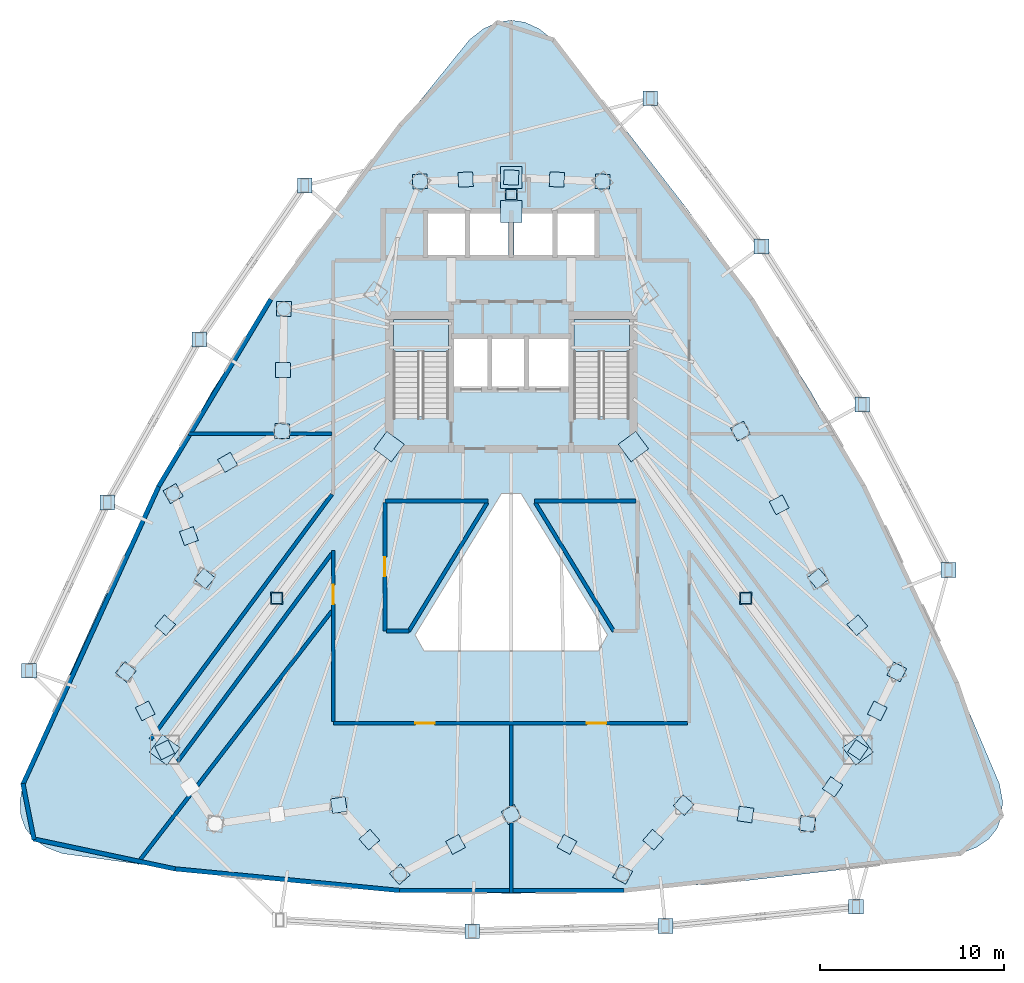
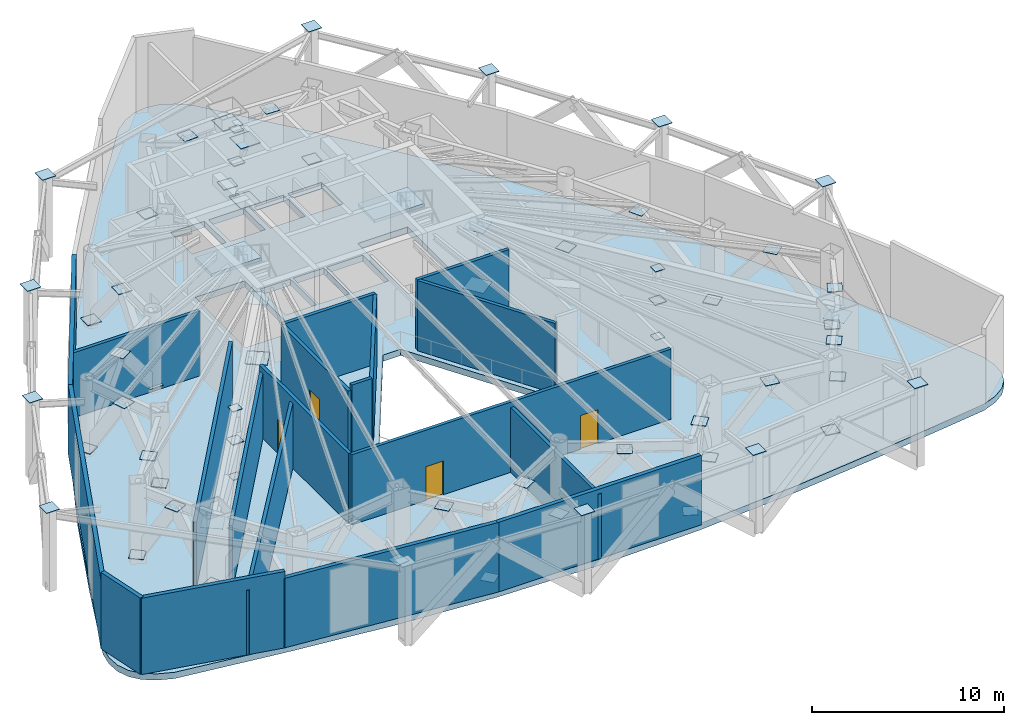
# One storey, part 5 of 10: 64 plates, 19 walls, 4 doors, 3 slabs, 4 openings, 2 elements without a shape of their own.
"""IFC4 building model written with IfcOpenShell, lengths in metres."""

from ifc_helpers import new_model, si_unit, direction, frame, frame_2d, origin, origin_2d, place, context, subcontext, project, spatial, polyline, rectangle, outline, extrude, material, layer, layer_set, type_object, element, fill, aggregate, save


model = new_model("IFC4")

# Units and contexts
model_context = context("Model", 3, precision=1e-05, world=origin(), true_north=direction((0.0, 1.0)))
body_context = subcontext(model_context, "Body", "Model", "MODEL_VIEW")
ifc_project = project(units=[si_unit("LENGTHUNIT", "METRE"), si_unit("AREAUNIT", "SQUARE_METRE"), si_unit("VOLUMEUNIT", "CUBIC_METRE"), si_unit("PLANEANGLEUNIT", "RADIAN"), si_unit("MASSUNIT", "GRAM", prefix="KILO")], contexts=[model_context])

# Site, building, storey
site_placement = place(None, origin())
site = spatial("IfcSite", under=ifc_project, at=site_placement, CompositionType="ELEMENT")
building_placement = place(site_placement, origin())
building = spatial("IfcBuilding", under=site, at=building_placement, Name="Orvanel Arch Residences", CompositionType="ELEMENT")
storey_placement = place(building_placement, frame((0.0, 0.0, 101.60009765625)))
storey = spatial("IfcBuildingStorey", under=building, at=storey_placement, Name="L28", CompositionType="ELEMENT", Elevation=101.60009765625)

# Plates
ifc_material_1 = material(Name="Structural steel AS/NZS 3678 Grade 350", Category="steel")
ifc_layer_1 = layer(ifc_material_1, 0.028076171875)
ifc_layer_set_1 = layer_set([ifc_layer_1], Name="Structural steel AS/NZS 3678 Grade 350")
plate_type_1 = type_object("IfcPlateType", Name="PL-CAP-28", PredefinedType="SHEET", material=ifc_layer_set_1)
for number, where, z_axis, x_axis, name in (
    (1, (16.366943359375, 19.64208984375, 0.28564453125), (0.0, 0.0, 1.0), (0.645457687724, 0.763796028635, 0.0), "L28 hollow member end cap plate"),
    (2, (14.23095703125, 17.111083984375, 4.2958984375), (0.0, 0.0, 1.0), (0.645457687724, 0.763796028635, 0.0), "L28 hollow member end cap plate"),
    (3, (12.094970703125, 14.580078125, 0.28564453125), (0.0, 0.0, 1.0), (0.645457687724, 0.763796028635, 0.0), "L28 hollow member end cap plate"),
    (4, (13.14697265625, 12.466064453125, 4.2958984375), (0.0, 0.0, 1.0), (-0.44619781311, 0.894934361602, 0.0), "L28 hollow member end cap plate"),
    (5, (14.198974609375, 10.35107421875, 0.28564453125), (0.0, 0.0, 1.0), (-0.444635179185, 0.895711760239, 0.0), "L28 hollow member end cap plate"),
    (6, (23.64892578125, 7.35498046875, 0.28564453125), (0.0, 0.0, 1.0), (0.988756381047, 0.149535343444, 0.0), "L28 hollow member end cap plate"),
    (7, (25.302978515625, 5.47998046875, 4.2958984375), (0.0, 0.0, 1.0), (-0.661311865324, 0.75011106963, 0.0), "L28 hollow member end cap plate"),
    (8, (26.9580078125, 3.60498046875, 0.28564453125), (0.0, 0.0, 1.0), (-0.661311865324, 0.75011106963, 0.0), "L28 hollow member end cap plate"),
    (9, (29.97900390625, 5.22412109375, 4.2958984375), (0.0, 0.0, 1.0), (0.881303452065, 0.472550764869, 0.0), "L28 hollow member end cap plate"),
    (10, (33.0, 6.843994140625, 0.28564453125), (0.0, 0.0, 1.0), (0.881303452065, 0.472550764869, 0.0), "L28 hollow member end cap plate"),
    (11, (36.02099609375, 5.22412109375, 4.2958984375), (0.0, 0.0, 1.0), (-0.881303452065, 0.472550764869, 0.0), "L28 hollow member end cap plate"),
    (12, (39.0419921875, 3.60498046875, 0.28564453125), (0.0, 0.0, 1.0), (-0.881303452065, 0.472550764869, 0.0), "L28 hollow member end cap plate"),
    (13, (40.697021484375, 5.47998046875, 4.2958984375), (0.0, 0.0, 1.0), (0.661311865324, 0.75011106963, 0.0), "L28 hollow member end cap plate"),
    (14, (42.35107421875, 7.35498046875, 0.28564453125), (0.0, 0.0, 1.0), (0.661311865324, 0.75011106963, 0.0), "L28 hollow member end cap plate"),
    (15, (45.705078125, 6.846923828125, 4.2958984375), (0.0, 0.0, 1.0), (-0.988756381047, 0.149535343444, 0.0), "L28 hollow member end cap plate"),
    (16, (49.05908203125, 6.339111328125, 0.28564453125), (0.0, 0.0, 1.0), (-0.988756381047, 0.149535343444, 0.0), "L28 hollow member end cap plate"),
    (17, (50.429931640625, 8.344970703125, 4.2958984375), (0.0, 0.0, 1.0), (0.564967003425, 0.825113498278, 0.0), "L28 hollow member end cap plate"),
    (18, (51.801025390625, 10.35107421875, 0.28564453125), (0.0, 0.0, 1.0), (0.564967003425, 0.825113498278, 0.0), "L28 hollow member end cap plate"),
    (19, (52.85302734375, 12.466064453125, 4.2958984375), (0.0, 0.0, 1.0), (0.444635179185, 0.895711760239, 0.0), "L28 hollow member end cap plate"),
    (20, (53.905029296875, 14.580078125, 0.28564453125), (0.0, 0.0, 1.0), (0.44619781311, 0.894934361602, 0.0), "L28 hollow member end cap plate"),
    (21, (51.76904296875, 17.111083984375, 4.2958984375), (0.0, 0.0, 1.0), (-0.645457687724, 0.763796028635, 0.0), "L28 hollow member end cap plate"),
    (22, (49.633056640625, 19.64208984375, 0.28564453125), (0.0, 0.0, 1.0), (-0.645457687724, 0.763796028635, 0.0), "L28 hollow member end cap plate"),
    (23, (47.531982421875, 23.64208984375, 4.2958984375), (0.0, 0.0, 1.0), (-0.464842045725, 0.885393625754, 0.0), "L28 hollow member end cap plate"),
    (24, (45.430908203125, 27.64111328125, 0.28564453125), (0.0, 0.0, 1.0), (-0.464842045725, 0.885393625754, 0.0), "L28 hollow member end cap plate"),
    (25, (37.949951171875, 41.177978515625, 0.28564453125), (0.0, 0.0, 1.0), (-0.999048221582, 0.043619387365, 0.0), "L28 hollow member end cap plate"),
    (26, (35.47509765625, 41.2880859375, 4.2958984375), (0.0, 0.0, 1.0), (-0.999048221582, 0.043619387365, 0.0), "L28 hollow member end cap plate"),
    (27, (33.0, 41.39794921875, 0.28564453125), (0.0, 0.0, 1.0), (-0.999048221582, 0.043619387365, 0.0), "L28 hollow member end cap plate"),
    (28, (30.52490234375, 41.2880859375, 4.2958984375), (0.0, 0.0, 1.0), (0.999048221582, 0.043619387365, 0.0), "L28 hollow member end cap plate"),
    (29, (28.050048828125, 41.177978515625, 0.28564453125), (0.0, 0.0, 1.0), (0.999048221582, 0.043619387365, 0.0), "L28 hollow member end cap plate"),
    (30, (20.669921875, 34.27099609375, 0.28564453125), (0.0, 0.0, 1.0), (0.015707317312, 0.999876632482, 0.0), "L28 hollow member end cap plate"),
    (31, (20.6201171875, 30.9560546875, 4.2958984375), (0.0, 0.0, 1.0), (0.015707317312, 0.999876632482, 0.0), "L28 hollow member end cap plate"),
    (32, (20.569091796875, 27.64111328125, 0.28564453125), (0.0, 0.0, 1.0), (0.015707317312, 0.999876632482, 0.0), "L28 hollow member end cap plate"),
    (33, (17.615966796875, 25.947998046875, 4.2958984375), (0.0, 0.0, 1.0), (0.867765453369, 0.496973961028, 0.0), "L28 hollow member end cap plate"),
    (34, (14.662109375, 24.256103515625, 0.28564453125), (0.0, 0.0, 1.0), (0.867765453369, 0.496973961028, 0.0), "L28 hollow member end cap plate"),
    (35, (15.514892578125, 21.948974609375, 4.2958984375), (0.0, 0.0, 1.0), (-0.346935651573, 0.937888934612, 0.0), "L28 hollow member end cap plate"),
):
    element("IfcPlate", number, at=place(storey_placement, frame(where, z_axis=z_axis, x_axis=x_axis)), inside=storey, type_object=plate_type_1, Name=name, PredefinedType="SHEET", context=body_context, shape_type="SweptSolid", body=[
        extrude(rectangle(XDim=0.800048828125, YDim=0.800048828125, at=origin_2d()), origin(), (0.0, 0.0, 1.0), 0.028076171875),
    ])
for number, where, z_axis, x_axis, name in (
    (36, (33.0, 39.550048828125, 0.3857421875), (0.0, 0.0, 1.0), (0.0, 1.0, 0.0), "L28 hollow member end cap plate"),
    (37, (33.0, 41.39794921875, 4.19580078125), (0.0, 0.0, 1.0), (0.0, 1.0, 0.0), "L28 hollow member end cap plate"),
    (38, (33.0, 39.550048828125, 4.19580078125), (0.0, 0.0, 1.0), (0.0, 1.0, 0.0), "L28 hollow member end cap plate"),
    (39, (26.375, 26.800048828125, 0.3857421875), (0.0, 0.0, 1.0), (0.594822786751, 0.803856860617, 0.0), "L28 hollow member end cap plate"),
    (40, (14.198974609375, 10.35107421875, 4.19580078125), (0.0, 0.0, 1.0), (0.594822786751, 0.803856860617, 0.0), "L28 hollow member end cap plate"),
    (41, (26.375, 26.800048828125, 4.19580078125), (0.0, 0.0, 1.0), (0.594822786751, 0.803856860617, 0.0), "L28 hollow member end cap plate"),
    (42, (39.625, 26.800048828125, 0.3857421875), (0.0, 0.0, 1.0), (-0.594822786751, 0.803856860617, 0.0), "L28 hollow member end cap plate"),
    (43, (51.801025390625, 10.35107421875, 4.19580078125), (0.0, 0.0, 1.0), (-0.594822786751, 0.803856860617, 0.0), "L28 hollow member end cap plate"),
    (44, (39.625, 26.800048828125, 4.19580078125), (0.0, 0.0, 1.0), (-0.594822786751, 0.803856860617, 0.0), "L28 hollow member end cap plate"),
):
    element("IfcPlate", number, at=place(storey_placement, frame(where, z_axis=z_axis, x_axis=x_axis)), inside=storey, type_object=plate_type_1, Name=name, PredefinedType="SHEET", context=body_context, shape_type="SweptSolid", body=[
        extrude(rectangle(XDim=1.179931640625, YDim=1.179931640625, at=origin_2d()), origin(), (0.0, 0.0, 1.0), 0.028076171875),
    ])
for number, where, z_axis, x_axis, name in (
    (45, (33.0, 40.47412109375, -0.01416015625), (0.0, 0.0, 1.0), (1.0, 0.0, 0.0), "L28 hollow member end cap plate"),
    (46, (33.0, 40.47412109375, 4.345703125), (0.0, 0.0, 1.0), (1.0, 0.0, 0.0), "L28 hollow member end cap plate"),
    (47, (20.287109375, 18.575927734375, -0.01416015625), (0.0, 0.0, 1.0), (1.0, 0.0, 0.0), "L28 hollow member end cap plate"),
    (48, (20.287109375, 18.575927734375, 4.345703125), (0.0, 0.0, 1.0), (1.0, 0.0, 0.0), "L28 hollow member end cap plate"),
    (49, (45.712890625, 18.575927734375, -0.01416015625), (0.0, 0.0, 1.0), (1.0, 0.0, 0.0), "L28 hollow member end cap plate"),
    (50, (45.712890625, 18.575927734375, 4.345703125), (0.0, 0.0, 1.0), (1.0, 0.0, 0.0), "L28 hollow member end cap plate"),
):
    element("IfcPlate", number, at=place(storey_placement, frame(where, z_axis=z_axis, x_axis=x_axis)), inside=storey, type_object=plate_type_1, Name=name, PredefinedType="SHEET", context=body_context, shape_type="SweptSolid", body=[
        extrude(rectangle(XDim=0.56005859375, YDim=0.56005859375, at=origin_2d()), origin(), (0.0, 0.0, 1.0), 0.028076171875),
    ])
ifc_layer_2 = layer(ifc_material_1, 0.031982421875)
ifc_layer_set_2 = layer_set([ifc_layer_2], Name="Structural steel AS/NZS 3678 Grade 350")
plate_type_2 = type_object("IfcPlateType", Name="PL-CAP-32", PredefinedType="SHEET", material=ifc_layer_set_2)
for number, where, z_axis, x_axis, name in (
    (51, (21.79296875, 40.9619140625, 5.083984375), (0.0, 0.0, 1.0), (1.0, 0.0, 0.0), "L28 hollow member end cap plate"),
    (52, (16.074951171875, 32.612060546875, 5.083984375), (0.0, 0.0, 1.0), (1.0, 0.0, 0.0), "L28 hollow member end cap plate"),
    (53, (11.092041015625, 23.763916015625, 5.083984375), (0.0, 0.0, 1.0), (1.0, 0.0, 0.0), "L28 hollow member end cap plate"),
    (54, (6.841064453125, 14.64794921875, 5.083984375), (0.0, 0.0, 1.0), (1.0, 0.0, 0.0), "L28 hollow member end cap plate"),
    (55, (30.881103515625, 0.51806640625, 5.083984375), (0.0, 0.0, 1.0), (1.0, 0.0, 0.0), "L28 hollow member end cap plate"),
    (56, (41.360107421875, 0.7958984375, 5.083984375), (0.0, 0.0, 1.0), (1.0, 0.0, 0.0), "L28 hollow member end cap plate"),
    (57, (51.698974609375, 1.839111328125, 5.083984375), (0.0, 0.0, 1.0), (1.0, 0.0, 0.0), "L28 hollow member end cap plate"),
    (58, (56.7119140625, 20.114990234375, 5.083984375), (0.0, 0.0, 1.0), (1.0, 0.0, 0.0), "L28 hollow member end cap plate"),
    (59, (52.037109375, 29.091064453125, 5.083984375), (0.0, 0.0, 1.0), (1.0, 0.0, 0.0), "L28 hollow member end cap plate"),
    (60, (46.576904296875, 37.653076171875, 5.083984375), (0.0, 0.0, 1.0), (1.0, 0.0, 0.0), "L28 hollow member end cap plate"),
    (61, (40.535888671875, 45.695068359375, 5.083984375), (0.0, 0.0, 1.0), (1.0, 0.0, 0.0), "L28 hollow member end cap plate"),
):
    element("IfcPlate", number, at=place(storey_placement, frame(where, z_axis=z_axis, x_axis=x_axis)), inside=storey, type_object=plate_type_2, Name=name, PredefinedType="SHEET", context=body_context, shape_type="SweptSolid", body=[
        extrude(rectangle(XDim=0.800048828125, YDim=0.800048828125, at=origin_2d()), origin(), (0.0, 0.0, 1.0), 0.031982421875),
    ])
ifc_layer_3 = layer(ifc_material_1, 0.035888671875)
ifc_layer_set_3 = layer_set([ifc_layer_3], Name="Structural steel AS/NZS 3678 Grade 350")
plate_type_3 = type_object("IfcPlateType", Name="PL-GUS-36", PredefinedType="USERDEFINED", material=ifc_layer_set_3)
for number, where, z_axis, x_axis, name in (
    (62, (33.0, 40.47412109375, 2.287109375), (0.0, 0.0, 1.0), (1.0, 0.0, 0.0), "L28 Outrigger Gusset Plate 1-1"),
    (63, (20.287109375, 18.575927734375, 2.287109375), (0.0, 0.0, 1.0), (1.0, 0.0, 0.0), "L28 Outrigger Gusset Plate 2-1"),
    (64, (45.712890625, 18.575927734375, 2.287109375), (0.0, 0.0, 1.0), (1.0, 0.0, 0.0), "L28 Outrigger Gusset Plate 3-1"),
):
    element("IfcPlate", number, at=place(storey_placement, frame(where, z_axis=z_axis, x_axis=x_axis)), inside=storey, type_object=plate_type_3, Name=name, ObjectType="GUSSET_PLATE", PredefinedType="USERDEFINED", context=body_context, shape_type="SweptSolid", body=[
        extrude(rectangle(XDim=0.679931640625, YDim=0.679931640625, at=origin_2d()), origin(), (0.0, 0.0, 1.0), 0.035888671875),
    ])

# Stair, slab
ifc_material_2 = material(Name="Precast concrete N50 (50 MPa)", Category="concrete")
stair_type = type_object("IfcStairType", Name="STR-DOG-181", PredefinedType="USERDEFINED", material=ifc_material_2)
stair_1_placement = place(storey_placement, origin())
stair_1 = element("IfcStair", 65, at=stair_1_placement, inside=storey, type_object=stair_type, Name="L28 Fire-Isolated Core Exit Stair 1", ObjectType="TWO_RETURN_STAIR", PredefinedType="USERDEFINED")
ifc_material_3 = material(Name="Concrete N40 (40 MPa)", Category="concrete")
ifc_layer_4 = layer(ifc_material_3, 0.199951171875)
ifc_layer_set_4 = layer_set([ifc_layer_4], Name="Concrete N40 (40 MPa)")
slab_type_1 = type_object("IfcSlabType", Name="SLB-LND-200", PredefinedType="LANDING", material=ifc_layer_set_4)
slab_1_placement = place(storey_placement, frame((0.0, 0.0, 2.349853515625)))
slab_1 = element("IfcSlab", 66, at=slab_1_placement, type_object=slab_type_1, Name="ST-1 landing 1", PredefinedType="LANDING", context=body_context, shape_type="SweptSolid", body=[
    extrude(outline(polyline([(29.60009765625, 31.9599609375), (29.60009765625, 33.699951171875), (26.60009765625, 33.699951171875), (26.60009765625, 31.9599609375), (29.60009765625, 31.9599609375)])), origin(), (0.0, 0.0, 1.0), 0.199951171875),
])
aggregate(stair_1, [slab_1])

stair_2_placement = place(storey_placement, origin())
stair_2 = element("IfcStair", 67, at=stair_2_placement, inside=storey, type_object=stair_type, Name="L28 Fire-Isolated Core Exit Stair 2", ObjectType="TWO_RETURN_STAIR", PredefinedType="USERDEFINED")
slab_2_placement = place(storey_placement, frame((0.0, 0.0, 2.349853515625)))
slab_2 = element("IfcSlab", 68, at=slab_2_placement, type_object=slab_type_1, Name="ST-2 landing 1", PredefinedType="LANDING", context=body_context, shape_type="SweptSolid", body=[
    extrude(outline(polyline([(39.39990234375, 31.9599609375), (39.39990234375, 33.699951171875), (36.39990234375, 33.699951171875), (36.39990234375, 31.9599609375), (39.39990234375, 31.9599609375)])), origin(), (0.0, 0.0, 1.0), 0.199951171875),
])
aggregate(stair_2, [slab_2])

# Slab
ifc_material_4 = material(Name="Concrete N50 (50 MPa)", Category="concrete")
ifc_layer_5 = layer(ifc_material_4, 0.39990234375)
ifc_layer_set_5 = layer_set([ifc_layer_5], Name="Concrete N50 (50 MPa)")
slab_type_2 = type_object("IfcSlabType", Name="SLB-TRF-400", PredefinedType="FLOOR", material=ifc_layer_set_5)
slab_3_placement = place(storey_placement, frame((0.0, 0.0, -0.400146484375)))
element("IfcSlab", 69, at=slab_3_placement, inside=storey, type_object=slab_type_2, Name="L28 Tower Floor Slab", PredefinedType="FLOOR", context=body_context, shape_type="SweptSolid", body=[
    extrude(outline(polyline([(35.258056640625, 48.87890625), (34.506103515625, 49.464111328125), (33.7529296875, 49.81591796875), (33.0, 49.93310546875), (32.2470703125, 49.81591796875), (31.493896484375, 49.464111328125), (30.740966796875, 48.87890625), (27.001953125, 44.257080078125), (23.3720703125, 39.570068359375), (19.94091796875, 34.763916015625), (16.77099609375, 29.800048828125), (13.884033203125, 24.6669921875), (11.259033203125, 19.3779296875), (8.833984375, 13.968017578125), (6.51611328125, 8.492919921875), (6.35498046875, 7.572998046875), (6.39990234375, 6.77001953125), (6.652099609375, 6.0830078125), (7.110107421875, 5.514892578125), (7.77587890625, 5.06298828125), (8.64892578125, 4.72802734375), (14.736083984375, 3.89892578125), (20.823974609375, 3.196044921875), (26.912109375, 2.72705078125), (33.0, 2.56201171875), (39.087890625, 2.72705078125), (45.176025390625, 3.196044921875), (51.263916015625, 3.89892578125), (57.35205078125, 4.72802734375), (58.22412109375, 5.06298828125), (58.889892578125, 5.514892578125), (59.347900390625, 6.0830078125), (59.60009765625, 6.77001953125), (59.64501953125, 7.572998046875), (59.48291015625, 8.492919921875), (57.166015625, 13.968017578125), (54.740966796875, 19.3779296875), (52.115966796875, 24.6669921875), (49.22900390625, 29.800048828125), (46.05908203125, 34.763916015625), (42.62890625, 39.570068359375), (38.998046875, 44.257080078125), (35.258056640625, 48.87890625)]), holes=[polyline([(26.60009765625, 28.429931640625), (26.60009765625, 33.699951171875), (29.60009765625, 33.699951171875), (29.60009765625, 28.429931640625), (26.60009765625, 28.429931640625)]), polyline([(36.39990234375, 28.429931640625), (36.39990234375, 33.699951171875), (39.39990234375, 33.699951171875), (39.39990234375, 28.429931640625), (36.39990234375, 28.429931640625)]), polyline([(29.89990234375, 32.64990234375), (31.75, 32.64990234375), (31.75, 29.949951171875), (29.89990234375, 29.949951171875), (29.89990234375, 32.64990234375)]), polyline([(31.89990234375, 32.64990234375), (33.75, 32.64990234375), (33.75, 29.949951171875), (31.89990234375, 29.949951171875), (31.89990234375, 32.64990234375)]), polyline([(33.89990234375, 32.64990234375), (36.10009765625, 32.64990234375), (36.10009765625, 29.949951171875), (33.89990234375, 29.949951171875), (33.89990234375, 32.64990234375)]), polyline([(28.449951171875, 39.449951171875), (30.5, 39.449951171875), (30.5, 37.199951171875), (28.449951171875, 37.199951171875), (28.449951171875, 39.449951171875)]), polyline([(35.5, 39.449951171875), (37.550048828125, 39.449951171875), (37.550048828125, 37.199951171875), (35.5, 37.199951171875), (35.5, 39.449951171875)]), polyline([(30.75, 39.449951171875), (32.85009765625, 39.449951171875), (32.85009765625, 37.199951171875), (30.75, 37.199951171875), (30.75, 39.449951171875)]), polyline([(33.14990234375, 39.449951171875), (35.25, 39.449951171875), (35.25, 37.199951171875), (33.14990234375, 37.199951171875), (33.14990234375, 39.449951171875)]), polyline([(38.218994140625, 16.5869140625), (37.73388671875, 15.721923828125), (28.26611328125, 15.721923828125), (27.780029296875, 16.5869140625), (32.470947265625, 24.260009765625), (33.529052734375, 24.260009765625), (38.218994140625, 16.5869140625)])]), origin(), (0.0, 0.0, 1.0), 0.400146484375),
])

# Walls
ifc_layer_6 = layer(ifc_material_2, 0.239990234375)
ifc_layer_set_6 = layer_set([ifc_layer_6], Name="Precast concrete N50 (50 MPa)")
wall_type_1 = type_object("IfcWallType", Name="EW-BAL-240", PredefinedType="SOLIDWALL", material=ifc_layer_set_6)
wall_1_placement = place(storey_placement, frame((19.958984375, 34.7939453125, 0.0), z_axis=(0.0, 0.0, 1.0), x_axis=(-0.514423004023, -0.857536572359, 0.0)))
element("IfcWall", 70, at=wall_1_placement, inside=storey, type_object=wall_type_1, Name="L28 Plant Acoustic Louvre Wall Face 1B", PredefinedType="SOLIDWALL", context=body_context, shape_type="SweptSolid", body=[
    extrude(rectangle(XDim=11.844482421875, YDim=0.239990234375, at=frame_2d((5.92236328125, 0.0))), origin(), (0.0, 0.0, 1.0), 4.423828125),
])
wall_2_placement = place(storey_placement, frame((13.89892578125, 24.698974609375, 0.0), z_axis=(0.0, 0.0, 1.0), x_axis=(-0.41454811934, -0.910027393407, 0.0)))
element("IfcWall", 71, at=wall_2_placement, inside=storey, type_object=wall_type_1, Name="L28 Plant Acoustic Louvre Wall Face 1C", PredefinedType="SOLIDWALL", context=body_context, shape_type="SweptSolid", body=[
    extrude(rectangle(XDim=17.843505859375, YDim=0.239990234375, at=frame_2d((8.921875, 0.0))), origin(), (0.0, 0.0, 1.0), 4.423828125),
])
wall_3_placement = place(storey_placement, frame((14.701904296875, 3.902099609375, 0.0), z_axis=(0.0, 0.0, 1.0), x_axis=(0.995395201443, -0.095856105411, 0.0)))
element("IfcWall", 72, at=wall_3_placement, inside=storey, type_object=wall_type_1, Name="L28 Plant Acoustic Louvre Wall Face 2A", PredefinedType="SOLIDWALL", context=body_context, shape_type="SweptSolid", body=[
    extrude(rectangle(XDim=12.3017578125, YDim=0.239990234375, at=frame_2d((6.15087890625, 0.0))), origin(), (0.0, 0.0, 1.0), 4.423828125),
])
wall_4_placement = place(storey_placement, frame((26.876953125, 2.72705078125, 0.0), z_axis=(0.0, 0.0, 1.0), x_axis=(1.0, 0.0, 0.0)))
element("IfcWall", 73, at=wall_4_placement, inside=storey, type_object=wall_type_1, Name="L28 Plant Acoustic Louvre Wall Face 2B", PredefinedType="SOLIDWALL", context=body_context, shape_type="SweptSolid", body=[
    extrude(rectangle(XDim=12.24609375, YDim=0.239990234375, at=frame_2d((6.123046875, 0.0))), origin(), (0.0, 0.0, 1.0), 4.423828125),
])
wall_5_placement = place(storey_placement, frame((6.510009765625, 8.528076171875, 0.0), z_axis=(0.0, 0.0, 1.0), x_axis=(0.195285205288, -0.980746495582, 0.0)))
element("IfcWall", 74, at=wall_5_placement, inside=storey, type_object=wall_type_1, Name="L28 Plant Corner Enclosure Wall", PredefinedType="SOLIDWALL", context=body_context, shape_type="SweptSolid", body=[
    extrude(rectangle(XDim=3.10791015625, YDim=0.239990234375, at=frame_2d((1.553955078125, 0.0))), origin(), (0.0, 0.0, 1.0), 4.85986328125),
])
wall_6_placement = place(storey_placement, frame((7.075927734375, 5.52197265625, 0.0), z_axis=(0.0, 0.0, 1.0), x_axis=(0.97829613069, -0.207211680843, 0.0)))
element("IfcWall", 75, at=wall_6_placement, inside=storey, type_object=wall_type_1, Name="L28 Plant Corner Enclosure Wall", PredefinedType="SOLIDWALL", context=body_context, shape_type="SweptSolid", body=[
    extrude(rectangle(XDim=7.86572265625, YDim=0.239990234375, at=frame_2d((3.932861328125, 0.0))), origin(), (0.0, 0.0, 1.0), 4.85986328125),
])

# Wall, openings, doors
ifc_material_5 = material(Name="Fire-rated plasterboard lined steel stud partition", Category="steel")
ifc_layer_7 = layer(ifc_material_5, 0.199951171875)
ifc_layer_set_7 = layer_set([ifc_layer_7], Name="Fire-rated plasterboard lined steel stud partition")
wall_type_2 = type_object("IfcWallType", Name="W-PLT-200", PredefinedType="PARTITIONING", material=ifc_layer_set_7)
wall_7_placement = place(storey_placement, frame((42.56494140625, 11.800048828125, 0.0), z_axis=(0.0, 0.0, 1.0), x_axis=(-1.0, 0.0, 0.0)))
wall_7 = element("IfcWall", 76, at=wall_7_placement, inside=storey, type_object=wall_type_2, Name="L28 Fire-Rated Refuge and Plant Corridor Wall", PredefinedType="PARTITIONING", context=body_context, shape_type="SweptSolid", body=[
    extrude(rectangle(XDim=19.21484375, YDim=0.199951171875, at=frame_2d((9.607421875, 0.0))), origin(), (0.0, 0.0, 1.0), 4.468994140625),
])
opening_1_placement = place(wall_7_placement, frame((13.715087890625, 0.0, 0.0)))
opening_1 = element("IfcOpeningElement", 77, at=opening_1_placement, cuts=wall_7, Name="Opening DF-120", PredefinedType="OPENING", context=body_context, shape_type="SweptSolid", body=[
    extrude(rectangle(XDim=1.050048828125, YDim=2.14990234375, at=frame_2d((0.52490234375, 1.074951171875))), frame((0.0, 0.10986328125, 0.0), z_axis=(0.0, -1.0, 0.0), x_axis=(1.0, 0.0, 0.0)), (0.0, 0.0, 1.0), 0.219970703125),
])
opening_2_placement = place(wall_7_placement, frame((4.406982421875, 0.0, 0.0)))
opening_2 = element("IfcOpeningElement", 78, at=opening_2_placement, cuts=wall_7, Name="Opening DF-120", PredefinedType="OPENING", context=body_context, shape_type="SweptSolid", body=[
    extrude(rectangle(XDim=1.050048828125, YDim=2.14990234375, at=frame_2d((0.52490234375, 1.074951171875))), frame((0.0, 0.10986328125, 0.0), z_axis=(0.0, -1.0, 0.0), x_axis=(1.0, 0.0, 0.0)), (0.0, 0.0, 1.0), 0.219970703125),
])
ifc_material_6 = material(Name="Galvanised steel fire-resisting door assembly", Category="steel")
door_type = type_object("IfcDoorType", Name="DR-FD120-1050", OperationType="NOTDEFINED", PredefinedType="DOOR", material=ifc_material_6)
door_1_placement = place(opening_1_placement, origin())
door_1 = element("IfcDoor", 79, at=door_1_placement, inside=storey, type_object=door_type, Name="DR-L28-PR-5 L28 L28 Heat-Recovery and Chilled-Water Plant Room Fire Door", OperationType="SINGLE_SWING_LEFT", OverallHeight=2.14990234375, OverallWidth=1.050048828125, PredefinedType="DOOR", context=body_context, shape_type="SweptSolid", body=[
    extrude(rectangle(XDim=1.050048828125, YDim=2.14990234375, at=frame_2d((0.52490234375, 1.074951171875))), frame((0.0, 0.02490234375, 0.0), z_axis=(0.0, -1.0, 0.0), x_axis=(1.0, 0.0, 0.0)), (0.0, 0.0, 1.0), 0.050048828125),
])
fill(opening_1, door_1)
door_2_placement = place(opening_2_placement, origin())
door_2 = element("IfcDoor", 80, at=door_2_placement, inside=storey, type_object=door_type, Name="DR-L28-PR-6 L28 L28 Mechanical Air-Handling Plant Room Fire Door", OperationType="SINGLE_SWING_LEFT", OverallHeight=2.14990234375, OverallWidth=1.050048828125, PredefinedType="DOOR", context=body_context, shape_type="SweptSolid", body=[
    extrude(rectangle(XDim=1.050048828125, YDim=2.14990234375, at=frame_2d((0.52490234375, 1.074951171875))), frame((0.0, 0.02490234375, 0.0), z_axis=(0.0, -1.0, 0.0), x_axis=(1.0, 0.0, 0.0)), (0.0, 0.0, 1.0), 0.050048828125),
])
fill(opening_2, door_2)

# Wall, opening, door
wall_8_placement = place(storey_placement, frame((23.35009765625, 11.885009765625, 0.0), z_axis=(0.0, 0.0, 1.0), x_axis=(0.0, 1.0, 0.0)))
wall_8 = element("IfcWall", 81, at=wall_8_placement, inside=storey, type_object=wall_type_2, Name="L28 Fire-Rated Refuge and Plant Corridor Wall", PredefinedType="PARTITIONING", context=body_context, shape_type="SweptSolid", body=[
    extrude(rectangle(XDim=9.2919921875, YDim=0.199951171875, at=frame_2d((4.64599609375, 0.0))), origin(), (0.0, 0.0, 1.0), 4.468994140625),
])
opening_3_placement = place(wall_8_placement, frame((6.366943359375, 0.0, 0.0)))
opening_3 = element("IfcOpeningElement", 82, at=opening_3_placement, cuts=wall_8, Name="Opening DF-120", PredefinedType="OPENING", context=body_context, shape_type="SweptSolid", body=[
    extrude(rectangle(XDim=1.050048828125, YDim=2.14990234375, at=frame_2d((0.52490234375, 1.074951171875))), frame((0.0, 0.10986328125, 0.0), z_axis=(0.0, -1.0, 0.0), x_axis=(1.0, 0.0, 0.0)), (0.0, 0.0, 1.0), 0.219970703125),
])
door_3_placement = place(opening_3_placement, origin())
door_3 = element("IfcDoor", 83, at=door_3_placement, inside=storey, type_object=door_type, Name="DR-L28-PR-8 L28 L28 Pressurised Fire Refuge Area 2 Fire Door", OperationType="SINGLE_SWING_LEFT", OverallHeight=2.14990234375, OverallWidth=1.050048828125, PredefinedType="DOOR", context=body_context, shape_type="SweptSolid", body=[
    extrude(rectangle(XDim=1.050048828125, YDim=2.14990234375, at=frame_2d((0.52490234375, 1.074951171875))), frame((0.0, 0.02490234375, 0.0), z_axis=(0.0, -1.0, 0.0), x_axis=(1.0, 0.0, 0.0)), (0.0, 0.0, 1.0), 0.050048828125),
])
fill(opening_3, door_3)

# Wall
wall_9_placement = place(storey_placement, frame((31.751953125, 23.85009765625, 0.0), z_axis=(0.0, 0.0, 1.0), x_axis=(-1.0, 0.0, 0.0)))
element("IfcWall", 84, at=wall_9_placement, inside=storey, type_object=wall_type_2, Name="L28 Fire-Rated Refuge and Plant Corridor Wall", PredefinedType="PARTITIONING", context=body_context, shape_type="SweptSolid", body=[
    extrude(rectangle(XDim=5.60205078125, YDim=0.199951171875, at=frame_2d((2.801025390625, 0.0))), origin(), (0.0, 0.0, 1.0), 4.468994140625),
])

# Wall, opening, door
wall_10_placement = place(storey_placement, frame((26.14990234375, 23.764892578125, 0.0), z_axis=(0.0, 0.0, 1.0), x_axis=(0.0, -1.0, 0.0)))
wall_10 = element("IfcWall", 85, at=wall_10_placement, inside=storey, type_object=wall_type_2, Name="L28 Fire-Rated Refuge and Plant Corridor Wall", PredefinedType="PARTITIONING", context=body_context, shape_type="SweptSolid", body=[
    extrude(rectangle(XDim=6.96484375, YDim=0.199951171875, at=frame_2d((3.482421875, 0.0))), origin(), (0.0, 0.0, 1.0), 4.468994140625),
])
opening_4_placement = place(wall_10_placement, frame((2.9580078125, 0.0, 0.0)))
opening_4 = element("IfcOpeningElement", 86, at=opening_4_placement, cuts=wall_10, Name="Opening DF-120", PredefinedType="OPENING", context=body_context, shape_type="SweptSolid", body=[
    extrude(rectangle(XDim=1.050048828125, YDim=2.14990234375, at=frame_2d((0.52490234375, 1.074951171875))), frame((0.0, 0.10986328125, 0.0), z_axis=(0.0, -1.0, 0.0), x_axis=(1.0, 0.0, 0.0)), (0.0, 0.0, 1.0), 0.219970703125),
])
door_4_placement = place(opening_4_placement, origin())
door_4 = element("IfcDoor", 87, at=door_4_placement, inside=storey, type_object=door_type, Name="DR-L28-PR-2 L28 L28 Mechanical Air-Handling Plant Room Fire Door", OperationType="SINGLE_SWING_LEFT", OverallHeight=2.14990234375, OverallWidth=1.050048828125, PredefinedType="DOOR", context=body_context, shape_type="SweptSolid", body=[
    extrude(rectangle(XDim=1.050048828125, YDim=2.14990234375, at=frame_2d((0.52490234375, 1.074951171875))), frame((0.0, 0.02490234375, 0.0), z_axis=(0.0, -1.0, 0.0), x_axis=(1.0, 0.0, 0.0)), (0.0, 0.0, 1.0), 0.050048828125),
])
fill(opening_4, door_4)

# Walls
wall_11_placement = place(storey_placement, frame((26.235107421875, 16.800048828125, 0.0), z_axis=(0.0, 0.0, 1.0), x_axis=(1.0, 0.0, 0.0)))
element("IfcWall", 88, at=wall_11_placement, inside=storey, type_object=wall_type_2, Name="L28 Fire-Rated Refuge and Plant Corridor Wall", PredefinedType="PARTITIONING", context=body_context, shape_type="SweptSolid", body=[
    extrude(rectangle(XDim=1.206787109375, YDim=0.199951171875, at=frame_2d((0.603515625, 0.0))), origin(), (0.0, 0.0, 1.0), 4.85986328125),
])
wall_12_placement = place(storey_placement, frame((39.764892578125, 23.85009765625, 0.0), z_axis=(0.0, 0.0, 1.0), x_axis=(-1.0, 0.0, 0.0)))
element("IfcWall", 89, at=wall_12_placement, inside=storey, type_object=wall_type_2, Name="L28 Fire-Rated Refuge and Plant Corridor Wall", PredefinedType="PARTITIONING", context=body_context, shape_type="SweptSolid", body=[
    extrude(rectangle(XDim=5.516845703125, YDim=0.199951171875, at=frame_2d((2.75830078125, 0.0))), origin(), (0.0, 0.0, 1.0), 4.468994140625),
])
for number, where, z_axis, x_axis, name in (
    (90, (27.44189453125, 16.7900390625, 0.0), (0.0, 0.0, 1.0), (0.521062041455, 0.853518804101, 0.0), "L28 Atrium Smoke Wall"),
    (91, (34.300048828125, 23.764892578125, 0.0), (0.0, 0.0, 1.0), (0.521062041455, -0.853518804101, 0.0), "L28 Atrium Smoke Wall"),
):
    element("IfcWall", number, at=place(storey_placement, frame(where, z_axis=z_axis, x_axis=x_axis)), inside=storey, type_object=wall_type_2, Name=name, PredefinedType="PARTITIONING", context=body_context, shape_type="SweptSolid", body=[
        extrude(rectangle(XDim=8.171875, YDim=0.199951171875, at=frame_2d((4.0859375, 0.0))), origin(), (0.0, 0.0, 1.0), 4.468994140625),
    ])
wall_13_placement = place(storey_placement, frame((23.264892578125, 21.001953125, 0.0), z_axis=(0.0, 0.0, 1.0), x_axis=(-0.595248331953, -0.803541799353, 0.0)))
element("IfcWall", 92, at=wall_13_placement, inside=storey, type_object=wall_type_2, Name="L28 Outrigger Truss Fire Enclosure Wall", PredefinedType="PARTITIONING", context=body_context, shape_type="SweptSolid", body=[
    extrude(rectangle(XDim=14.047607421875, YDim=0.199951171875, at=frame_2d((7.02392578125, 0.0))), origin(), (0.0, 0.0, 1.0), 4.125),
])
wall_14_placement = place(storey_placement, frame((13.43505859375, 10.916015625, 0.0), z_axis=(0.0, 0.0, 1.0), x_axis=(0.594962039999, 0.803753799966, 0.0)))
element("IfcWall", 93, at=wall_14_placement, inside=storey, type_object=wall_type_2, Name="L28 Outrigger Truss Fire Enclosure Wall", PredefinedType="PARTITIONING", context=body_context, shape_type="SweptSolid", body=[
    extrude(rectangle(XDim=16.53857421875, YDim=0.199951171875, at=frame_2d((8.269287109375, 0.0))), origin(), (0.0, 0.0, 1.0), 4.125),
])
wall_15_placement = place(storey_placement, frame((23.264892578125, 17.8740234375, 0.0), z_axis=(0.0, 0.0, 1.0), x_axis=(-0.61059315098, -0.791944445006, 0.0)))
element("IfcWall", 94, at=wall_15_placement, inside=storey, type_object=wall_type_2, Name="L28 Fire Compartment Wall", PredefinedType="PARTITIONING", context=body_context, shape_type="SweptSolid", body=[
    extrude(rectangle(XDim=17.281494140625, YDim=0.199951171875, at=frame_2d((8.640625, 0.0))), origin(), (0.0, 0.0, 1.0), 4.125),
])
wall_16_placement = place(storey_placement, frame((15.491943359375, 27.5, 0.0), z_axis=(0.0, 0.0, 1.0), x_axis=(1.0, 0.0, 0.0)))
element("IfcWall", 95, at=wall_16_placement, inside=storey, type_object=wall_type_2, Name="L28 Fire Compartment Wall", PredefinedType="PARTITIONING", context=body_context, shape_type="SweptSolid", body=[
    extrude(rectangle(XDim=7.77294921875, YDim=0.199951171875, at=frame_2d((3.886474609375, 0.0))), origin(), (0.0, 0.0, 1.0), 4.125),
])
wall_17_placement = place(storey_placement, frame((33.0, 2.576904296875, 0.0), z_axis=(0.0, 0.0, 1.0), x_axis=(0.0, 1.0, 0.0)))
element("IfcWall", 96, at=wall_17_placement, inside=storey, type_object=wall_type_2, Name="L28 Fire Compartment Wall", PredefinedType="PARTITIONING", context=body_context, shape_type="SweptSolid", body=[
    extrude(rectangle(XDim=9.13818359375, YDim=0.199951171875, at=frame_2d((4.569091796875, 0.0))), origin(), (0.0, 0.0, 1.0), 4.125),
])

save(model, "model.ifc")
